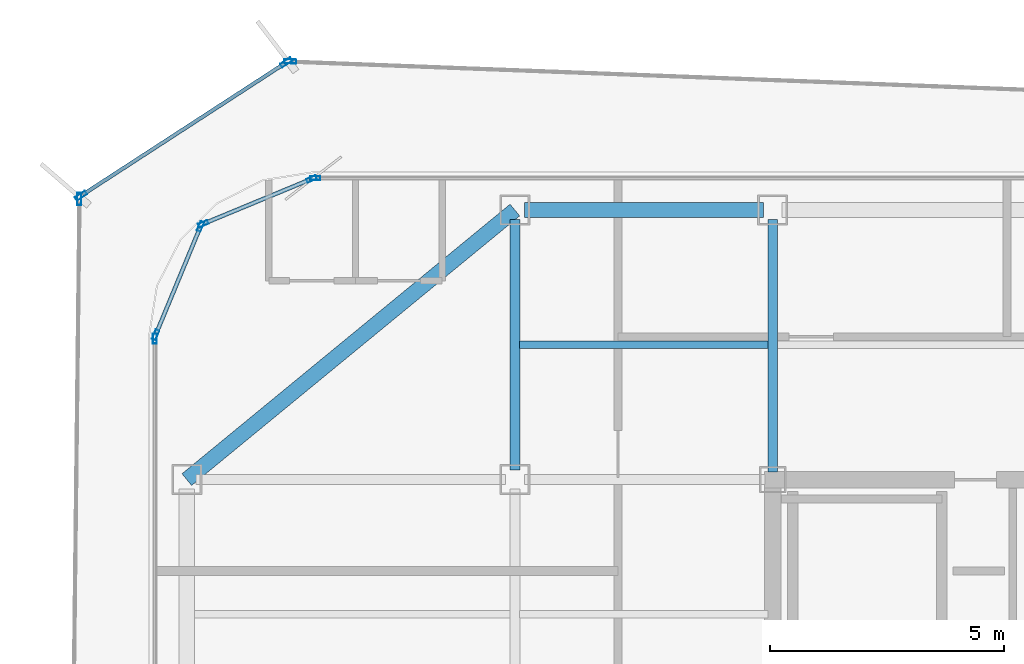
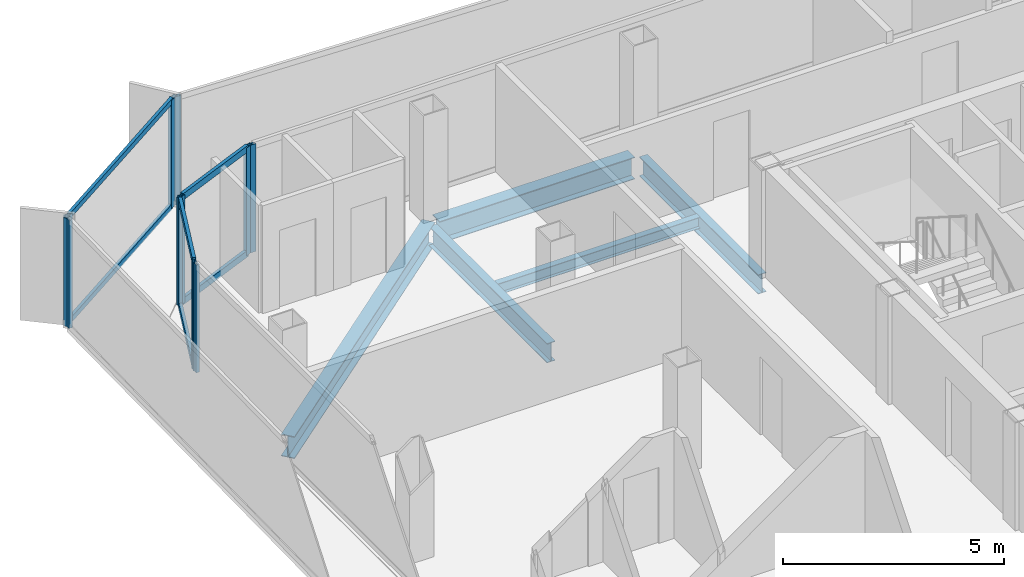
# One storey, part 6 of 15: 16 members, 5 beams, 7 elements without a shape of their own.
"""IFC4 building model written with IfcOpenShell, lengths in metres."""

from ifc_helpers import new_model, si_unit, direction, frame, origin, origin_2d, place, context, subcontext, project, spatial, hollow_rectangle, i_section, extrude, source, transform, mapped, material, layer, layer_set, material_profile, profile_set, type_object, element, aggregate, save


model = new_model("IFC4")

# Units and contexts
model_context = context("Model", 3, precision=1e-05, world=origin(), true_north=direction((0.0, 1.0)))
body_context = subcontext(model_context, "Body", "Model", "MODEL_VIEW")
ifc_project = project(units=[si_unit("LENGTHUNIT", "METRE"), si_unit("AREAUNIT", "SQUARE_METRE"), si_unit("VOLUMEUNIT", "CUBIC_METRE"), si_unit("PLANEANGLEUNIT", "RADIAN"), si_unit("MASSUNIT", "GRAM", prefix="KILO")], contexts=[model_context])

# Site, building, storey
site_placement = place(None, origin())
site = spatial("IfcSite", under=ifc_project, at=site_placement, CompositionType="ELEMENT")
building_placement = place(site_placement, origin())
building = spatial("IfcBuilding", under=site, at=building_placement, Name="Kolveth Station Tower", CompositionType="ELEMENT")
storey_placement = place(building_placement, frame((0.0, 0.0, 229.699951171875)))
storey = spatial("IfcBuildingStorey", under=building, at=storey_placement, Name="L65", CompositionType="ELEMENT", Elevation=229.699951171875)

# Beams
ifc_material_1 = material(Name="Steel S355", Category="steel")
ifc_material_profile_1 = material_profile(ifc_material_1, i_section(OverallWidth=0.323974609375, OverallDepth=0.611083984375, WebThickness=0.0126953125, FlangeThickness=0.01904296875, at=origin_2d()), Name="W610x155")
ifc_profile_set_1 = profile_set([ifc_material_profile_1], Name="Steel S355")
beam_type_1 = type_object("IfcBeamType", Name="Beam_SP2", PredefinedType="SPANDREL", material=ifc_profile_set_1)
shared_shape_1 = source(origin(), body_context, "Body", "SweptSolid", [
    extrude(i_section(OverallWidth=0.323974609375, OverallDepth=0.611083984375, WebThickness=0.0126953125, FlangeThickness=0.01904296875, at=origin_2d()), origin(), (0.0, 0.0, 1.0), 9.058837890625),
])
beam_1_placement = place(storey_placement, frame((13.0, 34.5, -0.525390625), z_axis=(-0.772726254525, -0.63473942336, 0.0), x_axis=(0.63473942336, -0.772726254525, 0.0)))
element("IfcBeam", 1, at=beam_1_placement, inside=storey, type_object=beam_type_1, Name="L65 Corner Edge Girder BM-L65-CNR-NW", PredefinedType="SPANDREL", context=body_context, shape_type="MappedRepresentation", body=[
    mapped(shared_shape_1, transform((0.0, 0.0, 0.0), x_axis=(1.0, 0.0, 0.0), y_axis=(0.0, 1.0, 0.0), z_axis=(0.0, 0.0, 1.0), scale=1.0)),
])
shared_shape_2 = source(origin(), body_context, "Body", "SweptSolid", [
    extrude(i_section(OverallWidth=0.323974609375, OverallDepth=0.611083984375, WebThickness=0.0126953125, FlangeThickness=0.01904296875, at=origin_2d()), origin(), (0.0, 0.0, 1.0), 5.10009765625),
])
beam_2_placement = place(storey_placement, frame((13.199951171875, 34.5, -0.525390625), z_axis=(1.0, 0.0, 0.0), x_axis=(0.0, 1.0, 0.0)))
element("IfcBeam", 2, at=beam_2_placement, inside=storey, type_object=beam_type_1, Name="L65 Perimeter Spandrel BM-L65-PN-1", PredefinedType="SPANDREL", context=body_context, shape_type="MappedRepresentation", body=[
    mapped(shared_shape_2, transform((0.0, 0.0, 0.0), x_axis=(1.0, 0.0, 0.0), y_axis=(0.0, 1.0, 0.0), z_axis=(0.0, 0.0, 1.0), scale=1.0)),
])
ifc_material_profile_2 = material_profile(ifc_material_1, i_section(OverallWidth=0.2099609375, OverallDepth=0.537109375, WebThickness=0.010986328125, FlangeThickness=0.017333984375, at=origin_2d()), Name="W530x101")
ifc_profile_set_2 = profile_set([ifc_material_profile_2], Name="Steel S355")
beam_type_2 = type_object("IfcBeamType", Name="Beam_B6", PredefinedType="BEAM", material=ifc_profile_set_2)
shared_shape_3 = source(origin(), body_context, "Body", "SweptSolid", [
    extrude(i_section(OverallWidth=0.2099609375, OverallDepth=0.537109375, WebThickness=0.010986328125, FlangeThickness=0.017333984375, at=origin_2d()), origin(), (0.0, 0.0, 1.0), 5.35009765625),
])
beam_3_placement = place(storey_placement, frame((13.0, 28.949951171875, -0.488525390625), z_axis=(0.0, 1.0, 0.0), x_axis=(-1.0, 0.0, 0.0)))
element("IfcBeam", 3, at=beam_3_placement, inside=storey, type_object=beam_type_2, Name="L65 Primary Girder BM-L65-GX130-6", PredefinedType="BEAM", context=body_context, shape_type="MappedRepresentation", body=[
    mapped(shared_shape_3, transform((0.0, 0.0, 0.0), x_axis=(1.0, 0.0, 0.0), y_axis=(0.0, 1.0, 0.0), z_axis=(0.0, 0.0, 1.0), scale=1.0)),
])
shared_shape_4 = source(origin(), body_context, "Body", "SweptSolid", [
    extrude(i_section(OverallWidth=0.2099609375, OverallDepth=0.537109375, WebThickness=0.010986328125, FlangeThickness=0.017333984375, at=origin_2d()), origin(), (0.0, 0.0, 1.0), 5.39013671875),
])
beam_4_placement = place(storey_placement, frame((18.5, 28.909912109375, -0.488525390625), z_axis=(0.0, 1.0, 0.0), x_axis=(-1.0, 0.0, 0.0)))
element("IfcBeam", 4, at=beam_4_placement, inside=storey, type_object=beam_type_2, Name="L65 Primary Girder BM-L65-GX185-6", PredefinedType="BEAM", context=body_context, shape_type="MappedRepresentation", body=[
    mapped(shared_shape_4, transform((0.0, 0.0, 0.0), x_axis=(1.0, 0.0, 0.0), y_axis=(0.0, 1.0, 0.0), z_axis=(0.0, 0.0, 1.0), scale=1.0)),
])
ifc_material_profile_3 = material_profile(ifc_material_1, i_section(OverallWidth=0.1650390625, OverallDepth=0.31005859375, WebThickness=0.005859375, FlangeThickness=0.009765625, at=origin_2d()), Name="W310x39")
ifc_profile_set_3 = profile_set([ifc_material_profile_3], Name="Steel S355")
beam_type_3 = type_object("IfcBeamType", Name="Beam_J3", PredefinedType="JOIST", material=ifc_profile_set_3)
shared_shape_5 = source(origin(), body_context, "Body", "SweptSolid", [
    extrude(i_section(OverallWidth=0.1650390625, OverallDepth=0.31005859375, WebThickness=0.005859375, FlangeThickness=0.009765625, at=origin_2d()), origin(), (0.0, 0.0, 1.0), 5.2939453125),
])
beam_5_placement = place(storey_placement, frame((13.10302734375, 31.625, -0.375), z_axis=(1.0, 0.0, 0.0), x_axis=(0.0, 1.0, 0.0)))
element("IfcBeam", 5, at=beam_5_placement, inside=storey, type_object=beam_type_3, Name="L65 Secondary Joist JST-L65-2-6", PredefinedType="JOIST", context=body_context, shape_type="MappedRepresentation", body=[
    mapped(shared_shape_5, transform((0.0, 0.0, 0.0), x_axis=(1.0, 0.0, 0.0), y_axis=(0.0, 1.0, 0.0), z_axis=(0.0, 0.0, 1.0), scale=1.0)),
])

# Curtain wall, member
ifc_material_2 = material(Name="Black anodized aluminium 6063-T6 and dark solar glass", Category="aluminium")
ifc_layer_1 = layer(ifc_material_2, 0.159912109375)
ifc_layer_set_1 = layer_set([ifc_layer_1], Name="Black anodized aluminium 6063-T6 and dark solar glass")
curtain_wall_type_1 = type_object("IfcCurtainWallType", Name="OUTER SKIN CW-OS", PredefinedType="NOTDEFINED", material=ifc_layer_set_1)
curtain_wall_1_placement = place(storey_placement, origin())
curtain_wall_1 = element("IfcCurtainWall", 6, at=curtain_wall_1_placement, inside=storey, type_object=curtain_wall_type_1, Name="L65 Outer Ventilated Skin Curtain Wall 4", PredefinedType="NOTDEFINED")
ifc_material_3 = material(Name="Black anodized aluminium 6063-T6", Category="aluminium")
ifc_material_profile_4 = material_profile(ifc_material_3, hollow_rectangle(XDim=0.090087890625, YDim=0.260009765625, WallThickness=0.0048828125, at=origin_2d()), Name="ALU-90x260x5")
ifc_profile_set_4 = profile_set([ifc_material_profile_4], Name="Black anodized aluminium 6063-T6")
member_type_1 = type_object("IfcMemberType", Name="FIN MULLION ML-OS", PredefinedType="MULLION", material=ifc_profile_set_4)
shared_shape_6 = source(origin(), body_context, "Body", "SweptSolid", [
    extrude(hollow_rectangle(XDim=0.090087890625, YDim=0.260009765625, WallThickness=0.0048828125, at=origin_2d()), origin(), (0.0, 0.0, 1.0), 2.989990234375),
])
member_1_placement = place(storey_placement, frame((8.20556640625, 37.672607421875, 0.0), z_axis=(0.0, 0.0, 1.0), x_axis=(-0.038176791838, -0.999271000562, 0.0)))
member_1 = element("IfcMember", 7, at=member_1_placement, type_object=member_type_1, Name="CW-OS mullion 2", PredefinedType="MULLION", context=body_context, shape_type="MappedRepresentation", body=[
    mapped(shared_shape_6, transform((0.0, 0.0, 0.0), x_axis=(1.0, 0.0, 0.0), y_axis=(0.0, 1.0, 0.0), z_axis=(0.0, 0.0, 1.0), scale=1.0)),
])
aggregate(curtain_wall_1, [member_1])

# Curtain wall, members
curtain_wall_2_placement = place(storey_placement, origin())
curtain_wall_2 = element("IfcCurtainWall", 8, at=curtain_wall_2_placement, inside=storey, type_object=curtain_wall_type_1, Name="L65 Outer Ventilated Skin Curtain Wall 5", PredefinedType="NOTDEFINED")
member_2_placement = place(storey_placement, frame((8.123046875, 37.64990234375, 0.0), z_axis=(0.0, 0.0, 1.0), x_axis=(0.544567436027, -0.838717060527, 0.0)))
member_2 = element("IfcMember", 9, at=member_2_placement, type_object=member_type_1, Name="CW-OS mullion 1", PredefinedType="MULLION", context=body_context, shape_type="MappedRepresentation", body=[
    mapped(shared_shape_6, transform((0.0, 0.0, 0.0), x_axis=(1.0, 0.0, 0.0), y_axis=(0.0, 1.0, 0.0), z_axis=(0.0, 0.0, 1.0), scale=1.0)),
])
member_3_placement = place(storey_placement, frame((3.7431640625, 34.80615234375, 0.0), z_axis=(0.0, 0.0, 1.0), x_axis=(0.544567436027, -0.838717060527, 0.0)))
member_3 = element("IfcMember", 10, at=member_3_placement, type_object=member_type_1, Name="CW-OS mullion 2", PredefinedType="MULLION", context=body_context, shape_type="MappedRepresentation", body=[
    mapped(shared_shape_6, transform((0.0, 0.0, 0.0), x_axis=(1.0, 0.0, 0.0), y_axis=(0.0, 1.0, 0.0), z_axis=(0.0, 0.0, 1.0), scale=1.0)),
])

# Curtain wall, member
curtain_wall_3_placement = place(storey_placement, origin())
curtain_wall_3 = element("IfcCurtainWall", 11, at=curtain_wall_3_placement, inside=storey, type_object=curtain_wall_type_1, Name="L65 Outer Ventilated Skin Curtain Wall 6", PredefinedType="NOTDEFINED")
member_4_placement = place(storey_placement, frame((3.705078125, 34.736572265625, 0.0), z_axis=(0.0, 0.0, 1.0), x_axis=(0.999933170513, -0.011560904319, 0.0)))
member_4 = element("IfcMember", 12, at=member_4_placement, type_object=member_type_1, Name="CW-OS mullion 1", PredefinedType="MULLION", context=body_context, shape_type="MappedRepresentation", body=[
    mapped(shared_shape_6, transform((0.0, 0.0, 0.0), x_axis=(1.0, 0.0, 0.0), y_axis=(0.0, 1.0, 0.0), z_axis=(0.0, 0.0, 1.0), scale=1.0)),
])
aggregate(curtain_wall_3, [member_4])

ifc_material_4 = material(Name="Aluminium 6063-T6 and triple low-E dark glass", Category="aluminium")
ifc_layer_2 = layer(ifc_material_4, 0.199951171875)
ifc_layer_set_2 = layer_set([ifc_layer_2], Name="Aluminium 6063-T6 and triple low-E dark glass")
curtain_wall_type_2 = type_object("IfcCurtainWallType", Name="CurtainWall_CW-Z3", PredefinedType="NOTDEFINED", material=ifc_layer_set_2)
curtain_wall_4_placement = place(storey_placement, origin())
curtain_wall_4 = element("IfcCurtainWall", 13, at=curtain_wall_4_placement, inside=storey, type_object=curtain_wall_type_2, Name="L65 Inner Thermal Curtain Wall 6", PredefinedType="NOTDEFINED")
ifc_material_profile_5 = material_profile(ifc_material_3, hollow_rectangle(XDim=0.0849609375, YDim=0.215087890625, WallThickness=0.0048828125, at=origin_2d()), Name="ALU-85x215x5")
ifc_profile_set_5 = profile_set([ifc_material_profile_5], Name="Black anodized aluminium 6063-T6")
member_type_2 = type_object("IfcMemberType", Name="Mullion_ML3", PredefinedType="MULLION", material=ifc_profile_set_5)
shared_shape_7 = source(origin(), body_context, "Body", "SweptSolid", [
    extrude(hollow_rectangle(XDim=0.0849609375, YDim=0.215087890625, WallThickness=0.0048828125, at=origin_2d()), origin(), (0.0, 0.0, 1.0), 2.97998046875),
])
member_5_placement = place(storey_placement, frame((8.742431640625, 35.179931640625, 0.0), z_axis=(0.0, 0.0, 1.0), x_axis=(0.0, -1.0, 0.0)))
member_5 = element("IfcMember", 14, at=member_5_placement, type_object=member_type_2, Name="CW-Z3 mullion 2", PredefinedType="MULLION", context=body_context, shape_type="MappedRepresentation", body=[
    mapped(shared_shape_7, transform((0.0, 0.0, 0.0), x_axis=(1.0, 0.0, 0.0), y_axis=(0.0, 1.0, 0.0), z_axis=(0.0, 0.0, 1.0), scale=1.0)),
])
aggregate(curtain_wall_4, [member_5])

# Curtain wall, members
curtain_wall_5_placement = place(storey_placement, origin())
curtain_wall_5 = element("IfcCurtainWall", 15, at=curtain_wall_5_placement, inside=storey, type_object=curtain_wall_type_2, Name="L65 Inner Thermal Curtain Wall 7", PredefinedType="NOTDEFINED")
member_6_placement = place(storey_placement, frame((8.66064453125, 35.163818359375, 0.0), z_axis=(0.0, 0.0, 1.0), x_axis=(0.382693194181, -0.923875488975, 0.0)))
member_6 = element("IfcMember", 16, at=member_6_placement, type_object=member_type_2, Name="CW-Z3 mullion 1", PredefinedType="MULLION", context=body_context, shape_type="MappedRepresentation", body=[
    mapped(shared_shape_7, transform((0.0, 0.0, 0.0), x_axis=(1.0, 0.0, 0.0), y_axis=(0.0, 1.0, 0.0), z_axis=(0.0, 0.0, 1.0), scale=1.0)),
])
member_7_placement = place(storey_placement, frame((6.349365234375, 34.206298828125, 0.0), z_axis=(0.0, 0.0, 1.0), x_axis=(0.382693194181, -0.923875488975, 0.0)))
member_7 = element("IfcMember", 17, at=member_7_placement, type_object=member_type_2, Name="CW-Z3 mullion 2", PredefinedType="MULLION", context=body_context, shape_type="MappedRepresentation", body=[
    mapped(shared_shape_7, transform((0.0, 0.0, 0.0), x_axis=(1.0, 0.0, 0.0), y_axis=(0.0, 1.0, 0.0), z_axis=(0.0, 0.0, 1.0), scale=1.0)),
])

curtain_wall_6_placement = place(storey_placement, origin())
curtain_wall_6 = element("IfcCurtainWall", 18, at=curtain_wall_6_placement, inside=storey, type_object=curtain_wall_type_2, Name="L65 Inner Thermal Curtain Wall 8", PredefinedType="NOTDEFINED")
member_8_placement = place(storey_placement, frame((6.293701171875, 34.150634765625, 0.0), z_axis=(0.0, 0.0, 1.0), x_axis=(0.923875488975, -0.382693194181, 0.0)))
member_8 = element("IfcMember", 19, at=member_8_placement, type_object=member_type_2, Name="CW-Z3 mullion 1", PredefinedType="MULLION", context=body_context, shape_type="MappedRepresentation", body=[
    mapped(shared_shape_7, transform((0.0, 0.0, 0.0), x_axis=(1.0, 0.0, 0.0), y_axis=(0.0, 1.0, 0.0), z_axis=(0.0, 0.0, 1.0), scale=1.0)),
])
member_9_placement = place(storey_placement, frame((5.336181640625, 31.83935546875, 0.0), z_axis=(0.0, 0.0, 1.0), x_axis=(0.923875488975, -0.382693194181, 0.0)))
member_9 = element("IfcMember", 20, at=member_9_placement, type_object=member_type_2, Name="CW-Z3 mullion 2", PredefinedType="MULLION", context=body_context, shape_type="MappedRepresentation", body=[
    mapped(shared_shape_7, transform((0.0, 0.0, 0.0), x_axis=(1.0, 0.0, 0.0), y_axis=(0.0, 1.0, 0.0), z_axis=(0.0, 0.0, 1.0), scale=1.0)),
])

# Curtain wall, member
curtain_wall_7_placement = place(storey_placement, origin())
curtain_wall_7 = element("IfcCurtainWall", 21, at=curtain_wall_7_placement, inside=storey, type_object=curtain_wall_type_2, Name="L65 Inner Thermal Curtain Wall 9", PredefinedType="NOTDEFINED")
member_10_placement = place(storey_placement, frame((5.320068359375, 31.757568359375, 0.0), z_axis=(0.0, 0.0, 1.0), x_axis=(1.0, 0.0, 0.0)))
member_10 = element("IfcMember", 22, at=member_10_placement, type_object=member_type_2, Name="CW-Z3 mullion 1", PredefinedType="MULLION", context=body_context, shape_type="MappedRepresentation", body=[
    mapped(shared_shape_7, transform((0.0, 0.0, 0.0), x_axis=(1.0, 0.0, 0.0), y_axis=(0.0, 1.0, 0.0), z_axis=(0.0, 0.0, 1.0), scale=1.0)),
])
aggregate(curtain_wall_7, [member_10])

# Member
ifc_material_profile_6 = material_profile(ifc_material_3, hollow_rectangle(XDim=0.0849609375, YDim=0.179931640625, WallThickness=0.0048828125, at=origin_2d()), Name="ALU-85x180x5")
ifc_profile_set_6 = profile_set([ifc_material_profile_6], Name="Black anodized aluminium 6063-T6")
member_type_3 = type_object("IfcMemberType", Name="Transom_TR3", PredefinedType="USERDEFINED", material=ifc_profile_set_6)
shared_shape_8 = source(origin(), body_context, "Body", "SweptSolid", [
    extrude(hollow_rectangle(XDim=0.0849609375, YDim=0.179931640625, WallThickness=0.0048828125, at=origin_2d()), origin(), (0.0, 0.0, 1.0), 2.417236328125),
])
member_11_placement = place(storey_placement, frame((8.62158203125, 35.1474609375, 0.04248046875), z_axis=(-0.923872799448, -0.382699687013, 0.0), x_axis=(0.382699687013, -0.923872799448, 0.0)))
member_11 = element("IfcMember", 23, at=member_11_placement, type_object=member_type_3, Name="CW-Z3 transom 1.1", ObjectType="TRANSOM", PredefinedType="USERDEFINED", context=body_context, shape_type="MappedRepresentation", body=[
    mapped(shared_shape_8, transform((0.0, 0.0, 0.0), x_axis=(1.0, 0.0, 0.0), y_axis=(0.0, 1.0, 0.0), z_axis=(0.0, 0.0, 1.0), scale=1.0)),
])

member_12_placement = place(storey_placement, frame((8.62158203125, 35.1474609375, 2.9375), z_axis=(-0.923872799448, -0.382699687013, 0.0), x_axis=(0.382699687013, -0.923872799448, 0.0)))
member_12 = element("IfcMember", 24, at=member_12_placement, type_object=member_type_3, Name="CW-Z3 transom 1.2", ObjectType="TRANSOM", PredefinedType="USERDEFINED", context=body_context, shape_type="MappedRepresentation", body=[
    mapped(shared_shape_8, transform((0.0, 0.0, 0.0), x_axis=(1.0, 0.0, 0.0), y_axis=(0.0, 1.0, 0.0), z_axis=(0.0, 0.0, 1.0), scale=1.0)),
])

aggregate(curtain_wall_5, [member_6, member_7, member_11, member_12])

member_13_placement = place(storey_placement, frame((6.277587890625, 34.111572265625, 0.04248046875), z_axis=(-0.382699687013, -0.923872799448, 0.0), x_axis=(0.923872799448, -0.382699687013, 0.0)))
member_13 = element("IfcMember", 25, at=member_13_placement, type_object=member_type_3, Name="CW-Z3 transom 1.1", ObjectType="TRANSOM", PredefinedType="USERDEFINED", context=body_context, shape_type="MappedRepresentation", body=[
    mapped(shared_shape_8, transform((0.0, 0.0, 0.0), x_axis=(1.0, 0.0, 0.0), y_axis=(0.0, 1.0, 0.0), z_axis=(0.0, 0.0, 1.0), scale=1.0)),
])

member_14_placement = place(storey_placement, frame((6.277587890625, 34.111572265625, 2.9375), z_axis=(-0.382699687013, -0.923872799448, 0.0), x_axis=(0.923872799448, -0.382699687013, 0.0)))
member_14 = element("IfcMember", 26, at=member_14_placement, type_object=member_type_3, Name="CW-Z3 transom 1.2", ObjectType="TRANSOM", PredefinedType="USERDEFINED", context=body_context, shape_type="MappedRepresentation", body=[
    mapped(shared_shape_8, transform((0.0, 0.0, 0.0), x_axis=(1.0, 0.0, 0.0), y_axis=(0.0, 1.0, 0.0), z_axis=(0.0, 0.0, 1.0), scale=1.0)),
])

aggregate(curtain_wall_6, [member_8, member_9, member_13, member_14])

ifc_material_profile_7 = material_profile(ifc_material_3, hollow_rectangle(XDim=0.080078125, YDim=0.14990234375, WallThickness=0.0048828125, at=origin_2d()), Name="ALU-80x150x5")
ifc_profile_set_7 = profile_set([ifc_material_profile_7], Name="Black anodized aluminium 6063-T6")
member_type_4 = type_object("IfcMemberType", Name="Transom_TR-OS", PredefinedType="USERDEFINED", material=ifc_profile_set_7)
shared_shape_9 = source(origin(), body_context, "Body", "SweptSolid", [
    extrude(hollow_rectangle(XDim=0.080078125, YDim=0.14990234375, WallThickness=0.0048828125, at=origin_2d()), origin(), (0.0, 0.0, 1.0), 5.1318359375),
])
member_15_placement = place(storey_placement, frame((8.085205078125, 37.625244140625, 0.0400390625), z_axis=(-0.838715239411, -0.544570240813, 0.0), x_axis=(0.544570240813, -0.838715239411, 0.0)))
member_15 = element("IfcMember", 27, at=member_15_placement, type_object=member_type_4, Name="CW-OS transom 1.1", ObjectType="TRANSOM", PredefinedType="USERDEFINED", context=body_context, shape_type="MappedRepresentation", body=[
    mapped(shared_shape_9, transform((0.0, 0.0, 0.0), x_axis=(1.0, 0.0, 0.0), y_axis=(0.0, 1.0, 0.0), z_axis=(0.0, 0.0, 1.0), scale=1.0)),
])

member_16_placement = place(storey_placement, frame((8.085205078125, 37.625244140625, 2.949951171875), z_axis=(-0.838715239411, -0.544570240813, 0.0), x_axis=(0.544570240813, -0.838715239411, 0.0)))
member_16 = element("IfcMember", 28, at=member_16_placement, type_object=member_type_4, Name="CW-OS transom 1.2", ObjectType="TRANSOM", PredefinedType="USERDEFINED", context=body_context, shape_type="MappedRepresentation", body=[
    mapped(shared_shape_9, transform((0.0, 0.0, 0.0), x_axis=(1.0, 0.0, 0.0), y_axis=(0.0, 1.0, 0.0), z_axis=(0.0, 0.0, 1.0), scale=1.0)),
])

aggregate(curtain_wall_2, [member_2, member_3, member_15, member_16])

save(model, "model.ifc")
